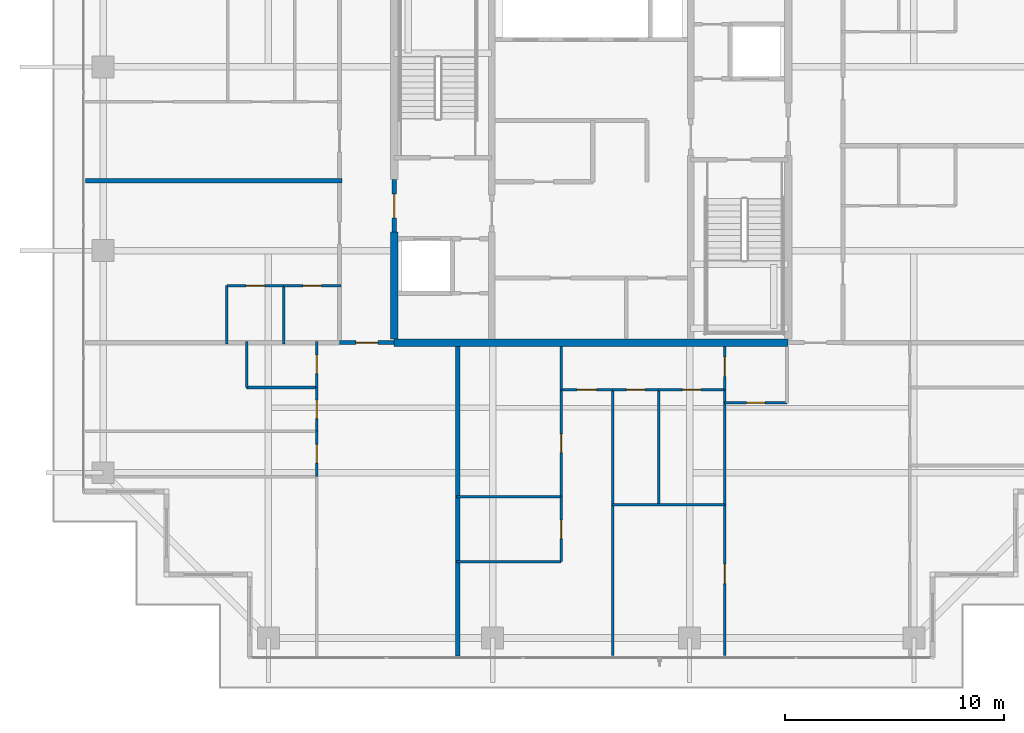
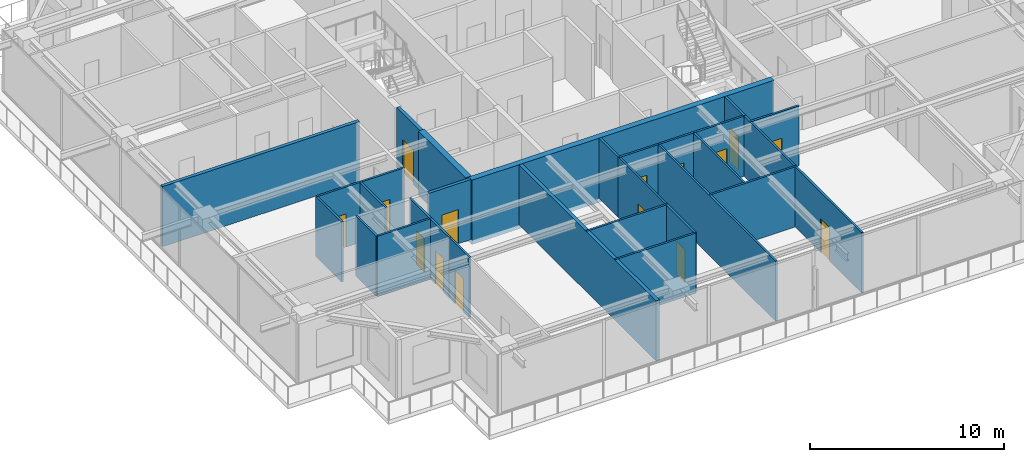
# One storey, part 28 of 40: 30 walls, 15 doors, 15 openings.
"""IFC4 building model written with IfcOpenShell, lengths in metres."""

import ifcopenshell
import ifcopenshell.guid

model = None  # the IFC model being written
_history = None  # IfcOwnerHistory: only IFC2X3 demands one
_inside = {}  # id of a spatial element -> (the spatial element, [elements in it])
_under = {}  # id of a project, library or spatial element -> (it, [spatial elements below it])
_declared = {}  # id of a project -> (the project, [libraries it declares])
_typed = {}  # id of a type object -> (the type object, [elements of that type])
_made_of = {}  # id of a material, layer set ... -> (it, [elements and type objects made of it])


def new_model(schema):
    """Start an empty IFC model of exactly this schema.

    Asked for "IFC4X3", IfcOpenShell would pick the latest addendum, in which some entities
    have other attributes; the version numbers below select the first issue.
    IFC2X3 requires an IfcOwnerHistory on every rooted entity: one is made here for all.
    """
    global model, _history
    if schema == "IFC4X3":
        model = ifcopenshell.file(schema_version=(4, 3, 0, 0))
    else:
        model = ifcopenshell.file(schema=schema)
    _inside.clear()
    _under.clear()
    _declared.clear()
    _typed.clear()
    _made_of.clear()
    _history = None
    if model.schema == "IFC2X3":
        org = make("IfcOrganization", Name="unknown")
        user = make(
            "IfcPersonAndOrganization",
            ThePerson=make("IfcPerson", FamilyName="unknown"),
            TheOrganization=org,
        )
        app = make(
            "IfcApplication",
            ApplicationDeveloper=org,
            Version="unknown",
            ApplicationFullName="unknown",
            ApplicationIdentifier="unknown",
        )
        _history = make(
            "IfcOwnerHistory",
            OwningUser=user,
            OwningApplication=app,
            ChangeAction="ADDED",
            CreationDate=0,
        )
    return model


def make(cls, **values):
    """One entity of the class cls with the attributes given. An attribute that is None is left unset."""
    return model.create_entity(
        cls, **{name: value for name, value in values.items() if value is not None}
    )


def rooted(cls, **values):
    """An entity with a GlobalId (a new one), such as an element, a storey or a relation."""
    return make(cls, GlobalId=ifcopenshell.guid.new(), OwnerHistory=_history, **values)


def si_unit(unit_type, name, prefix=None):
    """IfcSIUnit, for example si_unit("LENGTHUNIT", "METRE", prefix="MILLI")."""
    return make("IfcSIUnit", UnitType=unit_type, Prefix=prefix, Name=name)


def assignment(units):
    """IfcUnitAssignment: the units of a project."""
    return None if units is None else make("IfcUnitAssignment", Units=units)


def point(xyz):
    """IfcCartesianPoint."""
    return None if xyz is None else make("IfcCartesianPoint", Coordinates=xyz)


def direction(xyz):
    """IfcDirection."""
    return None if xyz is None else make("IfcDirection", DirectionRatios=xyz)


def frame(location, z_axis=None, x_axis=None):
    """IfcAxis2Placement3D, a coordinate frame: its origin and axes. An axis left out is left unset."""
    return make(
        "IfcAxis2Placement3D",
        Location=point(location),
        Axis=direction(z_axis),
        RefDirection=direction(x_axis),
    )


def frame_2d(location, x_axis=None):
    """IfcAxis2Placement2D, a coordinate frame in the plane: its origin and x axis."""
    return make(
        "IfcAxis2Placement2D", Location=point(location), RefDirection=direction(x_axis)
    )


def origin():
    """The frame at (0, 0, 0) with its axes left unset."""
    return frame((0.0, 0.0, 0.0))


def place(relative_to, where):
    """IfcLocalPlacement: puts the frame where relative to a parent placement (None: the world)."""
    return make(
        "IfcLocalPlacement", PlacementRelTo=relative_to, RelativePlacement=where
    )


def context(
    kind, dimensions, precision=None, world=None, true_north=None, identifier=None
):
    """IfcGeometricRepresentationContext, for example the 3D "Model" context."""
    return make(
        "IfcGeometricRepresentationContext",
        ContextIdentifier=identifier,
        ContextType=kind,
        CoordinateSpaceDimension=dimensions,
        Precision=precision,
        WorldCoordinateSystem=world,
        TrueNorth=true_north,
    )


def subcontext(parent, identifier, kind, view, scale=None):
    """IfcGeometricRepresentationSubContext, for example "Body" below "Model"."""
    return make(
        "IfcGeometricRepresentationSubContext",
        ContextIdentifier=identifier,
        ContextType=kind,
        ParentContext=parent,
        TargetScale=scale,
        TargetView=view,
    )


def project(units=None, contexts=None):
    """IfcProject with its units and contexts."""
    return rooted(
        "IfcProject",
        Name="project",
        RepresentationContexts=contexts,
        UnitsInContext=assignment(units),
    )


def spatial(cls, under=None, at=None, **own):
    """A site, building, storey or space (cls), placed at a placement, below another one or the project."""
    s = rooted(cls, ObjectPlacement=at, **own)
    if under is not None:
        _under.setdefault(under.id(), (under, []))[1].append(s)
    return s


def profile(cls, at=None, kind="AREA", **sizes):
    """A parametric profile (cls). Its sizes go by their IFC names, for example OverallWidth=200.0."""
    return make(cls, ProfileType=kind, Position=at, **sizes)


def rectangle(**sizes):
    """IfcRectangleProfileDef."""
    return profile("IfcRectangleProfileDef", **sizes)


def extrude(swept, where, along, depth):
    """IfcExtrudedAreaSolid: the profile swept, set in the frame where, extruded along a direction by depth."""
    return make(
        "IfcExtrudedAreaSolid",
        SweptArea=swept,
        Position=where,
        ExtrudedDirection=direction(along),
        Depth=depth,
    )


def shape(context_of_items, identifier, shape_type, items):
    """IfcShapeRepresentation: the items that make up one representation, for example the "Body"."""
    return make(
        "IfcShapeRepresentation",
        ContextOfItems=context_of_items,
        RepresentationIdentifier=identifier,
        RepresentationType=shape_type,
        Items=items,
    )


def source(mapping_origin, context_of_items, identifier, shape_type, items):
    """IfcRepresentationMap: a shape defined once, which mapped items show again and again."""
    return make(
        "IfcRepresentationMap",
        MappingOrigin=mapping_origin,
        MappedRepresentation=shape(context_of_items, identifier, shape_type, items),
    )


def transform(
    local_origin,
    x_axis=None,
    y_axis=None,
    z_axis=None,
    scale=None,
    scale2=None,
    scale3=None,
    uniform=True,
):
    """IfcCartesianTransformationOperator3D, or its non-uniform kind. x_axis, y_axis, z_axis: its Axis1, 2, 3."""
    if uniform:
        return make(
            "IfcCartesianTransformationOperator3D",
            Axis1=direction(x_axis),
            Axis2=direction(y_axis),
            LocalOrigin=point(local_origin),
            Scale=scale,
            Axis3=direction(z_axis),
        )
    return make(
        "IfcCartesianTransformationOperator3DnonUniform",
        Axis1=direction(x_axis),
        Axis2=direction(y_axis),
        LocalOrigin=point(local_origin),
        Scale=scale,
        Axis3=direction(z_axis),
        Scale2=scale2,
        Scale3=scale3,
    )


def mapped(mapping_source, mapping_target):
    """IfcMappedItem: shows the shape of a source again, moved by a transform."""
    return make(
        "IfcMappedItem", MappingSource=mapping_source, MappingTarget=mapping_target
    )


def material(Name=None, Category=None):
    """IfcMaterial."""
    return make("IfcMaterial", Name=Name, Category=Category)


def layer(
    of_material, thickness, ventilated=None, Name=None, Category=None, Priority=None
):
    """IfcMaterialLayer: one layer of a wall or slab, of a material (None: an air gap)."""
    return make(
        "IfcMaterialLayer",
        Material=of_material,
        LayerThickness=thickness,
        IsVentilated=ventilated,
        Name=Name,
        Category=Category,
        Priority=Priority,
    )


def layer_set(layers, Name=None):
    """IfcMaterialLayerSet."""
    return make("IfcMaterialLayerSet", MaterialLayers=layers, LayerSetName=Name)


def made_of(thing, what):
    """Note that an element or type object is made of a material, layer set ...; save() writes the relation."""
    if what is not None:
        _made_of.setdefault(what.id(), (what, []))[1].append(thing)
    return thing


def type_object(cls, material=None, **own):
    """A type object (cls), such as IfcWallType, which elements share."""
    return made_of(rooted(cls, **own), material)


def element(
    cls,
    number,
    at=None,
    inside=None,
    cuts=None,
    type_object=None,
    material=None,
    context=None,
    identifier="Body",
    shape_type=None,
    held_by="IfcProductDefinitionShape",
    body=None,
    shapes=None,
    **own,
):
    """One element of the class cls, such as IfcWall. Its Tag is "e" and its number.

    at: its placement. inside: the storey or other place that contains it. cuts: it is an
    opening in that element (IfcRelVoidsElement). A single representation is given by context,
    identifier, shape_type and body (its items); several are given by shapes. held_by: the class
    of the entity that holds the representations. save() writes the other relations.
    """
    e = rooted(cls, Tag="e%d" % number, ObjectPlacement=at, **own)
    if body is not None:
        shapes = [shape(context, identifier, shape_type, body)]
    if shapes is not None:
        e.Representation = make(held_by, Representations=shapes)
    if inside is not None:
        _inside.setdefault(inside.id(), (inside, []))[1].append(e)
    if cuts is not None:
        rooted(
            "IfcRelVoidsElement", RelatingBuildingElement=cuts, RelatedOpeningElement=e
        )
    if type_object is not None:
        _typed.setdefault(type_object.id(), (type_object, []))[1].append(e)
    return made_of(e, material)


def fill(opening, filler):
    """IfcRelFillsElement: the door or window that sits in an opening."""
    return rooted(
        "IfcRelFillsElement",
        RelatingOpeningElement=opening,
        RelatedBuildingElement=filler,
    )


def aggregate(whole, parts):
    """IfcRelAggregates: a whole, such as a stair, and the parts it consists of."""
    return rooted("IfcRelAggregates", RelatingObject=whole, RelatedObjects=parts)


def save(model, path):
    """Write the relations noted so far, then the file.

    IfcRelAggregates (storeys below a building ...), IfcRelContainedInSpatialStructure (elements
    in a storey), IfcRelDefinesByType, IfcRelAssociatesMaterial and IfcRelDeclares: one each for
    every whole, place, type object, material and project.
    """
    for whole, parts in _under.values():
        aggregate(whole, parts)
    for where, things in _inside.values():
        rooted(
            "IfcRelContainedInSpatialStructure",
            RelatedElements=things,
            RelatingStructure=where,
        )
    for kind, things in _typed.values():
        rooted("IfcRelDefinesByType", RelatedObjects=things, RelatingType=kind)
    for what, things in _made_of.values():
        rooted("IfcRelAssociatesMaterial", RelatedObjects=things, RelatingMaterial=what)
    for by, libraries in _declared.values():
        rooted("IfcRelDeclares", RelatingContext=by, RelatedDefinitions=libraries)
    model.write(path)


model = new_model("IFC4")

# Units and contexts
model_context = context("Model", 3, precision=1e-05, world=origin(), true_north=direction((0.0, 1.0)))
body_context = subcontext(model_context, "Body", "Model", "MODEL_VIEW")
ifc_project = project(units=[si_unit("LENGTHUNIT", "METRE"), si_unit("AREAUNIT", "SQUARE_METRE"), si_unit("VOLUMEUNIT", "CUBIC_METRE"), si_unit("PLANEANGLEUNIT", "RADIAN"), si_unit("MASSUNIT", "GRAM", prefix="KILO")], contexts=[model_context])

# Site, building, storey
site_placement = place(None, origin())
site = spatial("IfcSite", under=ifc_project, at=site_placement, CompositionType="ELEMENT")
building_placement = place(site_placement, origin())
building = spatial("IfcBuilding", under=site, at=building_placement, Name="Serunith Strait Residences", CompositionType="ELEMENT")
storey_placement = place(building_placement, frame((0.0, 0.0, 313.699951171875)))
storey = spatial("IfcBuildingStorey", under=building, at=storey_placement, Name="L78", CompositionType="ELEMENT", Elevation=313.699951171875)

# Wall, opening, door
ifc_material_1 = material(Name="Fire-rated acoustic gypsum partition")
ifc_layer_1 = layer(ifc_material_1, 0.179931640625, Name="Fire-rated acoustic gypsum partition")
ifc_layer_set_1 = layer_set([ifc_layer_1], Name="Fire-rated acoustic gypsum partition")
wall_type_1 = type_object("IfcWallType", Name="IW-CORR-180", PredefinedType="PARTITIONING", material=ifc_layer_set_1)
wall_1_placement = place(storey_placement, frame((20.902099609375, 16.800048828125, 0.0), z_axis=(0.0, 0.0, 1.0), x_axis=(1.0, 0.0, 0.0)))
wall_1 = element("IfcWall", 1, at=wall_1_placement, inside=storey, type_object=wall_type_1, Name="L78 Partition Wall 028", PredefinedType="PARTITIONING", context=body_context, shape_type="SweptSolid", body=[
    extrude(rectangle(XDim=2.495849609375, YDim=0.179931640625, at=frame_2d((1.248046875, 0.0))), origin(), (0.0, 0.0, 1.0), 3.7900390625),
])
opening_1_placement = place(wall_1_placement, frame((0.748046875, 0.0, 0.0)))
opening_1 = element("IfcOpeningElement", 2, at=opening_1_placement, cuts=wall_1, Name="Opening D-APT1000", PredefinedType="OPENING", context=body_context, shape_type="SweptSolid", body=[
    extrude(rectangle(XDim=1.0, YDim=2.14990234375, at=frame_2d((0.5, 1.074951171875))), frame((0.0, 0.10009765625, 0.0), z_axis=(0.0, -1.0, 0.0), x_axis=(1.0, 0.0, 0.0)), (0.0, 0.0, 1.0), 0.199951171875),
])
ifc_material_2 = material(Name="Solid timber engineered fire door", Category="wood")
door_type_1 = type_object("IfcDoorType", Name="ID-APT-1000", OperationType="NOTDEFINED", PredefinedType="DOOR", material=ifc_material_2)
shared_shape_1 = source(origin(), body_context, "Body", "SweptSolid", [
    extrude(rectangle(XDim=1.0, YDim=2.14990234375, at=frame_2d((0.5, 1.074951171875))), frame((0.0, 0.02490234375, 0.0), z_axis=(0.0, -1.0, 0.0), x_axis=(1.0, 0.0, 0.0)), (0.0, 0.0, 1.0), 0.050048828125),
])
door_1_placement = place(opening_1_placement, origin())
door_1 = element("IfcDoor", 3, at=door_1_placement, inside=storey, type_object=door_type_1, Name="L78 Unit 01 Entrance Door", OperationType="SINGLE_SWING_LEFT", OverallHeight=2.14990234375, OverallWidth=1.0, PredefinedType="DOOR", context=body_context, shape_type="MappedRepresentation", body=[
    mapped(shared_shape_1, transform((0.0, 0.0, 0.0), scale=1.0)),
])
fill(opening_1, door_1)

# Walls
ifc_material_3 = material(Name="Lightweight steel-stud gypsum partition", Category="steel")
ifc_layer_2 = layer(ifc_material_3, 0.1201171875, Name="Lightweight steel-stud gypsum partition")
ifc_layer_set_2 = layer_set([ifc_layer_2], Name="Lightweight steel-stud gypsum partition")
wall_type_2 = type_object("IfcWallType", Name="IW-PART-120", PredefinedType="PARTITIONING", material=ifc_layer_set_2)
wall_2_placement = place(storey_placement, frame((16.659912109375, 14.75, 0.0), z_axis=(0.0, 0.0, 1.0), x_axis=(1.0, 0.0, 0.0)))
element("IfcWall", 4, at=wall_2_placement, inside=storey, type_object=wall_type_2, Name="L78 Partition Wall 037", PredefinedType="PARTITIONING", context=body_context, shape_type="SweptSolid", body=[
    extrude(rectangle(XDim=3.2001953125, YDim=0.1201171875, at=frame_2d((1.60009765625, 0.0))), origin(), (0.0, 0.0, 1.0), 3.7900390625),
])
wall_3_placement = place(storey_placement, frame((16.659912109375, 14.75, 0.0), z_axis=(0.0, 0.0, 1.0), x_axis=(0.0, 1.0, 0.0)))
element("IfcWall", 5, at=wall_3_placement, inside=storey, type_object=wall_type_2, Name="L78 Partition Wall 038", PredefinedType="PARTITIONING", context=body_context, shape_type="SweptSolid", body=[
    extrude(rectangle(XDim=2.110107421875, YDim=0.1201171875, at=frame_2d((1.05517578125, 0.0))), origin(), (0.0, 0.0, 1.0), 3.7900390625),
])

# Wall, opening, door
wall_4_placement = place(storey_placement, frame((19.860107421875, 10.674072265625, 0.0), z_axis=(0.0, 0.0, 1.0), x_axis=(0.0, 1.0, 0.0)))
wall_4 = element("IfcWall", 6, at=wall_4_placement, inside=storey, type_object=wall_type_2, Name="L78 Partition Wall 039", PredefinedType="PARTITIONING", context=body_context, shape_type="SweptSolid", body=[
    extrude(rectangle(XDim=2.075927734375, YDim=0.1201171875, at=frame_2d((1.0380859375, 0.0))), origin(), (0.0, 0.0, 1.0), 3.7900390625),
])
opening_2_placement = place(wall_4_placement, frame((0.613037109375, 0.0, 0.0)))
opening_2 = element("IfcOpeningElement", 7, at=opening_2_placement, cuts=wall_4, Name="Opening D-RM850", PredefinedType="OPENING", context=body_context, shape_type="SweptSolid", body=[
    extrude(rectangle(XDim=0.85009765625, YDim=2.10009765625, at=frame_2d((0.425048828125, 1.050048828125))), frame((0.0, 0.070068359375, 0.0), z_axis=(0.0, -1.0, 0.0), x_axis=(1.0, 0.0, 0.0)), (0.0, 0.0, 1.0), 0.14013671875),
])
ifc_material_4 = material(Name="Engineered timber flush study and kitchen door", Category="wood")
door_type_2 = type_object("IfcDoorType", Name="ID-ROOM-850", OperationType="NOTDEFINED", PredefinedType="DOOR", material=ifc_material_4)
shared_shape_2 = source(origin(), body_context, "Body", "SweptSolid", [
    extrude(rectangle(XDim=0.85009765625, YDim=2.10009765625, at=frame_2d((0.425048828125, 1.050048828125))), frame((0.0, 0.02490234375, 0.0), z_axis=(0.0, -1.0, 0.0), x_axis=(1.0, 0.0, 0.0)), (0.0, 0.0, 1.0), 0.050048828125),
])
door_2_placement = place(opening_2_placement, origin())
door_2 = element("IfcDoor", 8, at=door_2_placement, inside=storey, type_object=door_type_2, Name="L78 Dining 7801 Door", OperationType="SINGLE_SWING_RIGHT", OverallHeight=2.10009765625, OverallWidth=0.85009765625, PredefinedType="DOOR", context=body_context, shape_type="MappedRepresentation", body=[
    mapped(shared_shape_2, transform((0.0, 0.0, 0.0), scale=1.0)),
])
fill(opening_2, door_2)

wall_5_placement = place(storey_placement, frame((19.860107421875, 12.751953125, 0.0), z_axis=(0.0, 0.0, 1.0), x_axis=(0.0, 1.0, 0.0)))
wall_5 = element("IfcWall", 9, at=wall_5_placement, inside=storey, type_object=wall_type_2, Name="L78 Partition Wall 040", PredefinedType="PARTITIONING", context=body_context, shape_type="SweptSolid", body=[
    extrude(rectangle(XDim=1.998046875, YDim=0.1201171875, at=frame_2d((0.9990234375, 0.0))), origin(), (0.0, 0.0, 1.0), 3.7900390625),
])
opening_3_placement = place(wall_5_placement, frame((0.573974609375, 0.0, 0.0)))
opening_3 = element("IfcOpeningElement", 10, at=opening_3_placement, cuts=wall_5, Name="Opening D-RM850", PredefinedType="OPENING", context=body_context, shape_type="SweptSolid", body=[
    extrude(rectangle(XDim=0.85009765625, YDim=2.10009765625, at=frame_2d((0.425048828125, 1.050048828125))), frame((0.0, 0.070068359375, 0.0), z_axis=(0.0, -1.0, 0.0), x_axis=(1.0, 0.0, 0.0)), (0.0, 0.0, 1.0), 0.14013671875),
])
door_3_placement = place(opening_3_placement, origin())
door_3 = element("IfcDoor", 11, at=door_3_placement, inside=storey, type_object=door_type_2, Name="L78 Kitchen 7801 Door", OperationType="SINGLE_SWING_LEFT", OverallHeight=2.10009765625, OverallWidth=0.85009765625, PredefinedType="DOOR", context=body_context, shape_type="MappedRepresentation", body=[
    mapped(shared_shape_2, transform((0.0, 0.0, 0.0), scale=1.0)),
])
fill(opening_3, door_3)

wall_6_placement = place(storey_placement, frame((19.860107421875, 14.751953125, 0.0), z_axis=(0.0, 0.0, 1.0), x_axis=(0.0, 1.0, 0.0)))
wall_6 = element("IfcWall", 12, at=wall_6_placement, inside=storey, type_object=wall_type_2, Name="L78 Partition Wall 041", PredefinedType="PARTITIONING", context=body_context, shape_type="SweptSolid", body=[
    extrude(rectangle(XDim=2.108154296875, YDim=0.1201171875, at=frame_2d((1.05419921875, 0.0))), origin(), (0.0, 0.0, 1.0), 3.7900390625),
])
opening_4_placement = place(wall_6_placement, frame((0.62890625, 0.0, 0.0)))
opening_4 = element("IfcOpeningElement", 13, at=opening_4_placement, cuts=wall_6, Name="Opening D-BTH850", PredefinedType="OPENING", context=body_context, shape_type="SweptSolid", body=[
    extrude(rectangle(XDim=0.85009765625, YDim=2.10009765625, at=frame_2d((0.425048828125, 1.050048828125))), frame((0.0, 0.070068359375, 0.0), z_axis=(0.0, -1.0, 0.0), x_axis=(1.0, 0.0, 0.0)), (0.0, 0.0, 1.0), 0.14013671875),
])
ifc_material_5 = material(Name="Moisture-resistant timber bathroom door", Category="wood")
door_type_3 = type_object("IfcDoorType", Name="ID-BATH-850", OperationType="NOTDEFINED", PredefinedType="DOOR", material=ifc_material_5)
door_4_placement = place(opening_4_placement, origin())
door_4 = element("IfcDoor", 14, at=door_4_placement, inside=storey, type_object=door_type_3, Name="L78 Bathroom 7801 Door", OperationType="SINGLE_SWING_RIGHT", OverallHeight=2.10009765625, OverallWidth=0.85009765625, PredefinedType="DOOR", context=body_context, shape_type="MappedRepresentation", body=[
    mapped(shared_shape_2, transform((0.0, 0.0, 0.0), scale=1.0)),
])
fill(opening_4, door_4)

wall_7_placement = place(storey_placement, frame((38.5, 14.050048828125, 0.0), z_axis=(0.0, 0.0, 1.0), x_axis=(1.0, 0.0, 0.0)))
wall_7 = element("IfcWall", 15, at=wall_7_placement, inside=storey, type_object=wall_type_2, Name="L78 Partition Wall 042", PredefinedType="PARTITIONING", context=body_context, shape_type="SweptSolid", body=[
    extrude(rectangle(XDim=2.85009765625, YDim=0.1201171875, at=frame_2d((1.425048828125, 0.0))), origin(), (0.0, 0.0, 1.0), 3.7900390625),
])
opening_5_placement = place(wall_7_placement, frame((1.0, 0.0, 0.0)))
opening_5 = element("IfcOpeningElement", 16, at=opening_5_placement, cuts=wall_7, Name="Opening D-RM850", PredefinedType="OPENING", context=body_context, shape_type="SweptSolid", body=[
    extrude(rectangle(XDim=0.85009765625, YDim=2.10009765625, at=frame_2d((0.425048828125, 1.050048828125))), frame((0.0, 0.070068359375, 0.0), z_axis=(0.0, -1.0, 0.0), x_axis=(1.0, 0.0, 0.0)), (0.0, 0.0, 1.0), 0.14013671875),
])
door_5_placement = place(opening_5_placement, origin())
door_5 = element("IfcDoor", 17, at=door_5_placement, inside=storey, type_object=door_type_2, Name="L78 Kitchen 7802 Door", OperationType="SINGLE_SWING_LEFT", OverallHeight=2.10009765625, OverallWidth=0.85009765625, PredefinedType="DOOR", context=body_context, shape_type="MappedRepresentation", body=[
    mapped(shared_shape_2, transform((0.0, 0.0, 0.0), scale=1.0)),
])
fill(opening_5, door_5)

wall_8_placement = place(storey_placement, frame((38.5, 14.64990234375, 0.0), z_axis=(0.0, 0.0, 1.0), x_axis=(0.0, 1.0, 0.0)))
wall_8 = element("IfcWall", 18, at=wall_8_placement, inside=storey, type_object=wall_type_2, Name="L78 Partition Wall 044", PredefinedType="PARTITIONING", context=body_context, shape_type="SweptSolid", body=[
    extrude(rectangle(XDim=1.97509765625, YDim=0.1201171875, at=frame_2d((0.987548828125, 0.0))), origin(), (0.0, 0.0, 1.0), 3.7900390625),
])
opening_6_placement = place(wall_8_placement, frame((0.60107421875, 0.0, 0.0)))
opening_6 = element("IfcOpeningElement", 19, at=opening_6_placement, cuts=wall_8, Name="Opening D-RM900", PredefinedType="OPENING", context=body_context, shape_type="SweptSolid", body=[
    extrude(rectangle(XDim=0.89990234375, YDim=2.10009765625, at=frame_2d((0.449951171875, 1.050048828125))), frame((0.0, 0.070068359375, 0.0), z_axis=(0.0, -1.0, 0.0), x_axis=(1.0, 0.0, 0.0)), (0.0, 0.0, 1.0), 0.14013671875),
])
ifc_material_6 = material(Name="Engineered timber flush bedroom door", Category="wood")
door_type_4 = type_object("IfcDoorType", Name="ID-ROOM-900", OperationType="NOTDEFINED", PredefinedType="DOOR", material=ifc_material_6)
shared_shape_3 = source(origin(), body_context, "Body", "SweptSolid", [
    extrude(rectangle(XDim=0.89990234375, YDim=2.10009765625, at=frame_2d((0.449951171875, 1.050048828125))), frame((0.0, 0.02490234375, 0.0), z_axis=(0.0, -1.0, 0.0), x_axis=(1.0, 0.0, 0.0)), (0.0, 0.0, 1.0), 0.050048828125),
])
door_6_placement = place(opening_6_placement, origin())
door_6 = element("IfcDoor", 20, at=door_6_placement, inside=storey, type_object=door_type_4, Name="L78 Hall W 7802 Door", OperationType="SINGLE_SWING_RIGHT", OverallHeight=2.10009765625, OverallWidth=0.89990234375, PredefinedType="DOOR", context=body_context, shape_type="MappedRepresentation", body=[
    mapped(shared_shape_3, transform((0.0, 0.0, 0.0), scale=1.0)),
])
fill(opening_6, door_6)

wall_9_placement = place(storey_placement, frame((38.5, 2.4951171875, 0.0), z_axis=(0.0, 0.0, 1.0), x_axis=(0.0, 1.0, 0.0)))
wall_9 = element("IfcWall", 21, at=wall_9_placement, inside=storey, type_object=wall_type_2, Name="L78 Partition Wall 045", PredefinedType="PARTITIONING", context=body_context, shape_type="SweptSolid", body=[
    extrude(rectangle(XDim=6.892822265625, YDim=0.1201171875, at=frame_2d((3.4462890625, 0.0))), origin(), (0.0, 0.0, 1.0), 3.7900390625),
])
opening_7_placement = place(wall_9_placement, frame((3.2958984375, 0.0, 0.0)))
opening_7 = element("IfcOpeningElement", 22, at=opening_7_placement, cuts=wall_9, Name="Opening D-RM900", PredefinedType="OPENING", context=body_context, shape_type="SweptSolid", body=[
    extrude(rectangle(XDim=0.89990234375, YDim=2.10009765625, at=frame_2d((0.449951171875, 1.050048828125))), frame((0.0, 0.070068359375, 0.0), z_axis=(0.0, -1.0, 0.0), x_axis=(1.0, 0.0, 0.0)), (0.0, 0.0, 1.0), 0.14013671875),
])
door_7_placement = place(opening_7_placement, origin())
door_7 = element("IfcDoor", 23, at=door_7_placement, inside=storey, type_object=door_type_4, Name="L78 Formal Dining Room 1 7802 Door", OperationType="SINGLE_SWING_LEFT", OverallHeight=2.10009765625, OverallWidth=0.89990234375, PredefinedType="DOOR", context=body_context, shape_type="MappedRepresentation", body=[
    mapped(shared_shape_3, transform((0.0, 0.0, 0.0), scale=1.0)),
])
fill(opening_7, door_7)

# Walls
wall_10_placement = place(storey_placement, frame((38.5, 9.389892578125, 0.0), z_axis=(0.0, 0.0, 1.0), x_axis=(0.0, 1.0, 0.0)))
element("IfcWall", 24, at=wall_10_placement, inside=storey, type_object=wall_type_2, Name="L78 Partition Wall 046", PredefinedType="PARTITIONING", context=body_context, shape_type="SweptSolid", body=[
    extrude(rectangle(XDim=5.258056640625, YDim=0.1201171875, at=frame_2d((2.62890625, 0.0))), origin(), (0.0, 0.0, 1.0), 3.7900390625),
])
wall_11_placement = place(storey_placement, frame((33.3798828125, 9.387939453125, 0.0), z_axis=(0.0, 0.0, 1.0), x_axis=(1.0, 0.0, 0.0)))
element("IfcWall", 25, at=wall_11_placement, inside=storey, type_object=wall_type_2, Name="L78 Partition Wall 047", PredefinedType="PARTITIONING", context=body_context, shape_type="SweptSolid", body=[
    extrude(rectangle(XDim=5.1201171875, YDim=0.1201171875, at=frame_2d((2.56005859375, 0.0))), origin(), (0.0, 0.0, 1.0), 3.7900390625),
])
wall_12_placement = place(storey_placement, frame((33.3798828125, 2.4951171875, 0.0), z_axis=(0.0, 0.0, 1.0), x_axis=(0.0, 1.0, 0.0)))
element("IfcWall", 26, at=wall_12_placement, inside=storey, type_object=wall_type_2, Name="L78 Partition Wall 048", PredefinedType="PARTITIONING", context=body_context, shape_type="SweptSolid", body=[
    extrude(rectangle(XDim=12.15478515625, YDim=0.1201171875, at=frame_2d((6.077392578125, 0.0))), origin(), (0.0, 0.0, 1.0), 3.7900390625),
])
wall_13_placement = place(storey_placement, frame((35.47998046875, 9.387939453125, 0.0), z_axis=(0.0, 0.0, 1.0), x_axis=(0.0, 1.0, 0.0)))
element("IfcWall", 27, at=wall_13_placement, inside=storey, type_object=wall_type_2, Name="L78 Partition Wall 049", PredefinedType="PARTITIONING", context=body_context, shape_type="SweptSolid", body=[
    extrude(rectangle(XDim=5.261962890625, YDim=0.1201171875, at=frame_2d((2.630859375, 0.0))), origin(), (0.0, 0.0, 1.0), 3.7900390625),
])

# Wall, opening, door
wall_14_placement = place(storey_placement, frame((33.3798828125, 14.64990234375, 0.0), z_axis=(0.0, 0.0, 1.0), x_axis=(1.0, 0.0, 0.0)))
wall_14 = element("IfcWall", 28, at=wall_14_placement, inside=storey, type_object=wall_type_2, Name="L78 Partition Wall 050", PredefinedType="PARTITIONING", context=body_context, shape_type="SweptSolid", body=[
    extrude(rectangle(XDim=2.10009765625, YDim=0.1201171875, at=frame_2d((1.050048828125, 0.0))), origin(), (0.0, 0.0, 1.0), 3.7900390625),
])
opening_8_placement = place(wall_14_placement, frame((0.625, 0.0, 0.0)))
opening_8 = element("IfcOpeningElement", 29, at=opening_8_placement, cuts=wall_14, Name="Opening D-BTH850", PredefinedType="OPENING", context=body_context, shape_type="SweptSolid", body=[
    extrude(rectangle(XDim=0.85009765625, YDim=2.10009765625, at=frame_2d((0.425048828125, 1.050048828125))), frame((0.0, 0.070068359375, 0.0), z_axis=(0.0, -1.0, 0.0), x_axis=(1.0, 0.0, 0.0)), (0.0, 0.0, 1.0), 0.14013671875),
])
door_8_placement = place(opening_8_placement, origin())
door_8 = element("IfcDoor", 30, at=door_8_placement, inside=storey, type_object=door_type_3, Name="L78 Bathroom 7802 Door", OperationType="SINGLE_SWING_RIGHT", OverallHeight=2.10009765625, OverallWidth=0.85009765625, PredefinedType="DOOR", context=body_context, shape_type="MappedRepresentation", body=[
    mapped(shared_shape_2, transform((0.0, 0.0, 0.0), scale=1.0)),
])
fill(opening_8, door_8)

wall_15_placement = place(storey_placement, frame((35.48193359375, 14.64990234375, 0.0), z_axis=(0.0, 0.0, 1.0), x_axis=(1.0, 0.0, 0.0)))
wall_15 = element("IfcWall", 31, at=wall_15_placement, inside=storey, type_object=wall_type_2, Name="L78 Partition Wall 051", PredefinedType="PARTITIONING", context=body_context, shape_type="SweptSolid", body=[
    extrude(rectangle(XDim=3.01806640625, YDim=0.1201171875, at=frame_2d((1.509033203125, 0.0))), origin(), (0.0, 0.0, 1.0), 3.7900390625),
])
opening_9_placement = place(wall_15_placement, frame((1.083984375, 0.0, 0.0)))
opening_9 = element("IfcOpeningElement", 32, at=opening_9_placement, cuts=wall_15, Name="Opening D-RM850", PredefinedType="OPENING", context=body_context, shape_type="SweptSolid", body=[
    extrude(rectangle(XDim=0.85009765625, YDim=2.10009765625, at=frame_2d((0.425048828125, 1.050048828125))), frame((0.0, 0.070068359375, 0.0), z_axis=(0.0, -1.0, 0.0), x_axis=(1.0, 0.0, 0.0)), (0.0, 0.0, 1.0), 0.14013671875),
])
door_9_placement = place(opening_9_placement, origin())
door_9 = element("IfcDoor", 33, at=door_9_placement, inside=storey, type_object=door_type_2, Name="L78 Formal Dining Room 7802 Door", OperationType="SINGLE_SWING_LEFT", OverallHeight=2.10009765625, OverallWidth=0.85009765625, PredefinedType="DOOR", context=body_context, shape_type="MappedRepresentation", body=[
    mapped(shared_shape_2, transform((0.0, 0.0, 0.0), scale=1.0)),
])
fill(opening_9, door_9)

wall_16_placement = place(storey_placement, frame((31.030029296875, 14.64990234375, 0.0), z_axis=(0.0, 0.0, 1.0), x_axis=(1.0, 0.0, 0.0)))
wall_16 = element("IfcWall", 34, at=wall_16_placement, inside=storey, type_object=wall_type_2, Name="L78 Partition Wall 052", PredefinedType="PARTITIONING", context=body_context, shape_type="SweptSolid", body=[
    extrude(rectangle(XDim=2.347900390625, YDim=0.1201171875, at=frame_2d((1.173828125, 0.0))), origin(), (0.0, 0.0, 1.0), 3.7900390625),
])
opening_10_placement = place(wall_16_placement, frame((0.72412109375, 0.0, 0.0)))
opening_10 = element("IfcOpeningElement", 35, at=opening_10_placement, cuts=wall_16, Name="Opening D-RM900", PredefinedType="OPENING", context=body_context, shape_type="SweptSolid", body=[
    extrude(rectangle(XDim=0.89990234375, YDim=2.10009765625, at=frame_2d((0.449951171875, 1.050048828125))), frame((0.0, 0.070068359375, 0.0), z_axis=(0.0, -1.0, 0.0), x_axis=(1.0, 0.0, 0.0)), (0.0, 0.0, 1.0), 0.14013671875),
])
door_10_placement = place(opening_10_placement, origin())
door_10 = element("IfcDoor", 36, at=door_10_placement, inside=storey, type_object=door_type_4, Name="L78 Master Bedroom W 7802 Door", OperationType="SINGLE_SWING_RIGHT", OverallHeight=2.10009765625, OverallWidth=0.89990234375, PredefinedType="DOOR", context=body_context, shape_type="MappedRepresentation", body=[
    mapped(shared_shape_3, transform((0.0, 0.0, 0.0), scale=1.0)),
])
fill(opening_10, door_10)

# Walls
for number, where, z_axis, x_axis, name in (
    (37, (26.239990234375, 6.7880859375, 0.0), (0.0, 0.0, 1.0), (1.0, 0.0, 0.0), "L78 Partition Wall 053"),
    (38, (26.239990234375, 9.748046875, 0.0), (0.0, 0.0, 1.0), (1.0, 0.0, 0.0), "L78 Partition Wall 054"),
):
    element("IfcWall", number, at=place(storey_placement, frame(where, z_axis=z_axis, x_axis=x_axis)), inside=storey, type_object=wall_type_2, Name=name, PredefinedType="PARTITIONING", context=body_context, shape_type="SweptSolid", body=[
        extrude(rectangle(XDim=4.7900390625, YDim=0.1201171875, at=frame_2d((2.39501953125, 0.0))), origin(), (0.0, 0.0, 1.0), 3.7900390625),
    ])

# Wall, opening, door
wall_17_placement = place(storey_placement, frame((31.030029296875, 6.7880859375, 0.0), z_axis=(0.0, 0.0, 1.0), x_axis=(0.0, 1.0, 0.0)))
wall_17 = element("IfcWall", 39, at=wall_17_placement, inside=storey, type_object=wall_type_2, Name="L78 Partition Wall 055", PredefinedType="PARTITIONING", context=body_context, shape_type="SweptSolid", body=[
    extrude(rectangle(XDim=2.9599609375, YDim=0.1201171875, at=frame_2d((1.47998046875, 0.0))), origin(), (0.0, 0.0, 1.0), 3.7900390625),
])
opening_11_placement = place(wall_17_placement, frame((1.054931640625, 0.0, 0.0)))
opening_11 = element("IfcOpeningElement", 40, at=opening_11_placement, cuts=wall_17, Name="Opening D-BTH850", PredefinedType="OPENING", context=body_context, shape_type="SweptSolid", body=[
    extrude(rectangle(XDim=0.85009765625, YDim=2.10009765625, at=frame_2d((0.425048828125, 1.050048828125))), frame((0.0, 0.070068359375, 0.0), z_axis=(0.0, -1.0, 0.0), x_axis=(1.0, 0.0, 0.0)), (0.0, 0.0, 1.0), 0.14013671875),
])
door_11_placement = place(opening_11_placement, origin())
door_11 = element("IfcDoor", 41, at=door_11_placement, inside=storey, type_object=door_type_3, Name="L78 En-suite Bathroom W 7802 Door", OperationType="SINGLE_SWING_LEFT", OverallHeight=2.10009765625, OverallWidth=0.85009765625, PredefinedType="DOOR", context=body_context, shape_type="MappedRepresentation", body=[
    mapped(shared_shape_2, transform((0.0, 0.0, 0.0), scale=1.0)),
])
fill(opening_11, door_11)

wall_18_placement = place(storey_placement, frame((31.030029296875, 9.75, 0.0), z_axis=(0.0, 0.0, 1.0), x_axis=(0.0, 1.0, 0.0)))
wall_18 = element("IfcWall", 42, at=wall_18_placement, inside=storey, type_object=wall_type_2, Name="L78 Partition Wall 056", PredefinedType="PARTITIONING", context=body_context, shape_type="SweptSolid", body=[
    extrude(rectangle(XDim=4.89990234375, YDim=0.1201171875, at=frame_2d((2.449951171875, 0.0))), origin(), (0.0, 0.0, 1.0), 3.7900390625),
])
opening_12_placement = place(wall_18_placement, frame((2.02490234375, 0.0, 0.0)))
opening_12 = element("IfcOpeningElement", 43, at=opening_12_placement, cuts=wall_18, Name="Opening D-RM850", PredefinedType="OPENING", context=body_context, shape_type="SweptSolid", body=[
    extrude(rectangle(XDim=0.85009765625, YDim=2.10009765625, at=frame_2d((0.425048828125, 1.050048828125))), frame((0.0, 0.070068359375, 0.0), z_axis=(0.0, -1.0, 0.0), x_axis=(1.0, 0.0, 0.0)), (0.0, 0.0, 1.0), 0.14013671875),
])
door_12_placement = place(opening_12_placement, origin())
door_12 = element("IfcDoor", 44, at=door_12_placement, inside=storey, type_object=door_type_2, Name="L78 Wardrobe W 7802 Door", OperationType="SINGLE_SWING_RIGHT", OverallHeight=2.10009765625, OverallWidth=0.85009765625, PredefinedType="DOOR", context=body_context, shape_type="MappedRepresentation", body=[
    mapped(shared_shape_2, transform((0.0, 0.0, 0.0), scale=1.0)),
])
fill(opening_12, door_12)

# Wall
wall_19_placement = place(storey_placement, frame((31.030029296875, 14.652099609375, 0.0), z_axis=(0.0, 0.0, 1.0), x_axis=(0.0, 1.0, 0.0)))
element("IfcWall", 45, at=wall_19_placement, inside=storey, type_object=wall_type_2, Name="L78 Partition Wall 057", PredefinedType="PARTITIONING", context=body_context, shape_type="SweptSolid", body=[
    extrude(rectangle(XDim=1.972900390625, YDim=0.1201171875, at=frame_2d((0.986328125, 0.0))), origin(), (0.0, 0.0, 1.0), 3.7900390625),
])

# Wall, opening, door
wall_20_placement = place(storey_placement, frame((15.75, 19.39990234375, 0.0), z_axis=(0.0, 0.0, 1.0), x_axis=(1.0, 0.0, 0.0)))
wall_20 = element("IfcWall", 46, at=wall_20_placement, inside=storey, type_object=wall_type_2, Name="L78 Partition Wall 092", PredefinedType="PARTITIONING", context=body_context, shape_type="SweptSolid", body=[
    extrude(rectangle(XDim=2.60009765625, YDim=0.1201171875, at=frame_2d((1.300048828125, 0.0))), origin(), (0.0, 0.0, 1.0), 3.7900390625),
])
opening_13_placement = place(wall_20_placement, frame((0.875, 0.0, 0.0)))
opening_13 = element("IfcOpeningElement", 47, at=opening_13_placement, cuts=wall_20, Name="Opening D-RM850", PredefinedType="OPENING", context=body_context, shape_type="SweptSolid", body=[
    extrude(rectangle(XDim=0.85009765625, YDim=2.10009765625, at=frame_2d((0.425048828125, 1.050048828125))), frame((0.0, 0.070068359375, 0.0), z_axis=(0.0, -1.0, 0.0), x_axis=(1.0, 0.0, 0.0)), (0.0, 0.0, 1.0), 0.14013671875),
])
door_13_placement = place(opening_13_placement, origin())
door_13 = element("IfcDoor", 48, at=door_13_placement, inside=storey, type_object=door_type_2, Name="L78 Kitchen 7805 Door", OperationType="SINGLE_SWING_LEFT", OverallHeight=2.10009765625, OverallWidth=0.85009765625, PredefinedType="DOOR", context=body_context, shape_type="MappedRepresentation", body=[
    mapped(shared_shape_2, transform((0.0, 0.0, 0.0), scale=1.0)),
])
fill(opening_13, door_13)

wall_21_placement = place(storey_placement, frame((18.35205078125, 19.39990234375, 0.0), z_axis=(0.0, 0.0, 1.0), x_axis=(1.0, 0.0, 0.0)))
wall_21 = element("IfcWall", 49, at=wall_21_placement, inside=storey, type_object=wall_type_2, Name="L78 Partition Wall 093", PredefinedType="PARTITIONING", context=body_context, shape_type="SweptSolid", body=[
    extrude(rectangle(XDim=2.60791015625, YDim=0.1201171875, at=frame_2d((1.303955078125, 0.0))), origin(), (0.0, 0.0, 1.0), 3.7900390625),
])
opening_14_placement = place(wall_21_placement, frame((0.87890625, 0.0, 0.0)))
opening_14 = element("IfcOpeningElement", 50, at=opening_14_placement, cuts=wall_21, Name="Opening D-BTH850", PredefinedType="OPENING", context=body_context, shape_type="SweptSolid", body=[
    extrude(rectangle(XDim=0.85009765625, YDim=2.10009765625, at=frame_2d((0.425048828125, 1.050048828125))), frame((0.0, 0.070068359375, 0.0), z_axis=(0.0, -1.0, 0.0), x_axis=(1.0, 0.0, 0.0)), (0.0, 0.0, 1.0), 0.14013671875),
])
door_14_placement = place(opening_14_placement, origin())
door_14 = element("IfcDoor", 51, at=door_14_placement, inside=storey, type_object=door_type_3, Name="L78 Bathroom 7805 Door", OperationType="SINGLE_SWING_RIGHT", OverallHeight=2.10009765625, OverallWidth=0.85009765625, PredefinedType="DOOR", context=body_context, shape_type="MappedRepresentation", body=[
    mapped(shared_shape_2, transform((0.0, 0.0, 0.0), scale=1.0)),
])
fill(opening_14, door_14)

# Walls
for number, where, z_axis, x_axis, name in (
    (52, (18.35009765625, 16.739990234375, 0.0), (0.0, 0.0, 1.0), (0.0, 1.0, 0.0), "L78 Partition Wall 094"),
    (53, (15.75, 16.739990234375, 0.0), (0.0, 0.0, 1.0), (0.0, 1.0, 0.0), "L78 Partition Wall 095"),
):
    element("IfcWall", number, at=place(storey_placement, frame(where, z_axis=z_axis, x_axis=x_axis)), inside=storey, type_object=wall_type_2, Name=name, PredefinedType="PARTITIONING", context=body_context, shape_type="SweptSolid", body=[
        extrude(rectangle(XDim=2.659912109375, YDim=0.1201171875, at=frame_2d((1.330078125, 0.0))), origin(), (0.0, 0.0, 1.0), 3.7900390625),
    ])
ifc_material_7 = material(Name="Twin-stud acoustic gypsum board partition")
ifc_layer_3 = layer(ifc_material_7, 0.199951171875, Name="Twin-stud acoustic gypsum board partition")
ifc_layer_set_3 = layer_set([ifc_layer_3], Name="Twin-stud acoustic gypsum board partition")
wall_type_3 = type_object("IfcWallType", Name="IW-PARTY-200", PredefinedType="PARTITIONING", material=ifc_layer_set_3)
wall_22_placement = place(storey_placement, frame((26.300048828125, 2.48193359375, 0.0), z_axis=(0.0, 0.0, 1.0), x_axis=(0.0, 1.0, 0.0)))
element("IfcWall", 54, at=wall_22_placement, inside=storey, type_object=wall_type_3, Name="L78 Partition Wall 020", PredefinedType="PARTITIONING", context=body_context, shape_type="SweptSolid", body=[
    extrude(rectangle(XDim=14.14306640625, YDim=0.199951171875, at=frame_2d((7.071533203125, 0.0))), origin(), (0.0, 0.0, 1.0), 3.7900390625),
])
wall_23_placement = place(storey_placement, frame((9.281982421875, 24.199951171875, 0.0), z_axis=(0.0, 0.0, 1.0), x_axis=(1.0, 0.0, 0.0)))
element("IfcWall", 55, at=wall_23_placement, inside=storey, type_object=wall_type_3, Name="L78 Partition Wall 022", PredefinedType="PARTITIONING", context=body_context, shape_type="SweptSolid", body=[
    extrude(rectangle(XDim=11.738037109375, YDim=0.199951171875, at=frame_2d((5.869140625, 0.0))), origin(), (0.0, 0.0, 1.0), 3.7900390625),
])

# Wall, opening, door
ifc_material_8 = material(Name="Autoclaved aerated concrete blockwork", Category="masonry")
ifc_layer_4 = layer(ifc_material_8, 0.199951171875, Name="Autoclaved aerated concrete blockwork")
ifc_layer_set_4 = layer_set([ifc_layer_4], Name="Autoclaved aerated concrete blockwork")
wall_type_4 = type_object("IfcWallType", Name="IW-SHAFT-200", PredefinedType="STANDARD", material=ifc_layer_set_4)
wall_24_placement = place(storey_placement, frame((23.39990234375, 21.85205078125, 0.0), z_axis=(0.0, 0.0, 1.0), x_axis=(0.0, 1.0, 0.0)))
wall_24 = element("IfcWall", 56, at=wall_24_placement, inside=storey, type_object=wall_type_4, Name="L78 Partition Wall 007", PredefinedType="STANDARD", context=body_context, shape_type="SweptSolid", body=[
    extrude(rectangle(XDim=2.39599609375, YDim=0.199951171875, at=frame_2d((1.197998046875, 0.0))), origin(), (0.0, 0.0, 1.0), 3.7900390625),
])
opening_15_placement = place(wall_24_placement, frame((0.64794921875, 0.0, 0.0)))
opening_15 = element("IfcOpeningElement", 57, at=opening_15_placement, cuts=wall_24, Name="Opening FD-FFL", PredefinedType="OPENING", context=body_context, shape_type="SweptSolid", body=[
    extrude(rectangle(XDim=1.10009765625, YDim=2.14990234375, at=frame_2d((0.550048828125, 1.074951171875))), frame((0.0, 0.10986328125, 0.0), z_axis=(0.0, -1.0, 0.0), x_axis=(1.0, 0.0, 0.0)), (0.0, 0.0, 1.0), 0.219970703125),
])
ifc_material_9 = material(Name="Glazed steel smoke-lobby fire door", Category="steel")
door_type_5 = type_object("IfcDoorType", Name="FD-FFL-1100", OperationType="NOTDEFINED", PredefinedType="DOOR", material=ifc_material_9)
shared_shape_4 = source(origin(), body_context, "Body", "SweptSolid", [
    extrude(rectangle(XDim=1.10009765625, YDim=2.14990234375, at=frame_2d((0.550048828125, 1.074951171875))), frame((0.0, 0.02490234375, 0.0), z_axis=(0.0, -1.0, 0.0), x_axis=(1.0, 0.0, 0.0)), (0.0, 0.0, 1.0), 0.050048828125),
])
door_15_placement = place(opening_15_placement, origin())
door_15 = element("IfcDoor", 58, at=door_15_placement, inside=storey, type_object=door_type_5, Name="L78 FFL-1 Corridor Fire Door", OperationType="SINGLE_SWING_RIGHT", OverallHeight=2.14990234375, OverallWidth=1.10009765625, PredefinedType="DOOR", context=body_context, shape_type="MappedRepresentation", body=[
    mapped(shared_shape_4, transform((0.0, 0.0, 0.0), scale=1.0)),
])
fill(opening_15, door_15)

# Walls
ifc_material_10 = material(Name="Concrete C60/75", Category="concrete")
ifc_layer_5 = layer(ifc_material_10, 0.35009765625, Name="Concrete C60/75")
ifc_layer_set_5 = layer_set([ifc_layer_5], Name="Concrete C60/75")
wall_type_5 = type_object("IfcWallType", Name="SW-350-C60", PredefinedType="SHEAR", material=ifc_layer_set_5)
wall_25_placement = place(storey_placement, frame((23.39990234375, 16.800048828125, -0.260009765625), z_axis=(0.0, 0.0, 1.0), x_axis=(1.0, 0.0, 0.0)))
element("IfcWall", 59, at=wall_25_placement, inside=storey, type_object=wall_type_5, Name="L78 Core South Shear Wall", PredefinedType="SHEAR", context=body_context, shape_type="SweptSolid", body=[
    extrude(rectangle(XDim=18.0, YDim=0.35009765625, at=frame_2d((9.0, 0.0))), origin(), (0.0, 0.0, 1.0), 4.048095703125),
])
wall_26_placement = place(storey_placement, frame((23.39990234375, 16.97509765625, -0.260009765625), z_axis=(0.0, 0.0, 1.0), x_axis=(0.0, 1.0, 0.0)))
element("IfcWall", 60, at=wall_26_placement, inside=storey, type_object=wall_type_5, Name="L78 Core West Shear Wall South Pier", PredefinedType="SHEAR", context=body_context, shape_type="SweptSolid", body=[
    extrude(rectangle(XDim=4.875, YDim=0.35009765625, at=frame_2d((2.4375, 0.0))), origin(), (0.0, 0.0, 1.0), 4.048095703125),
])

save(model, "model.ifc")
